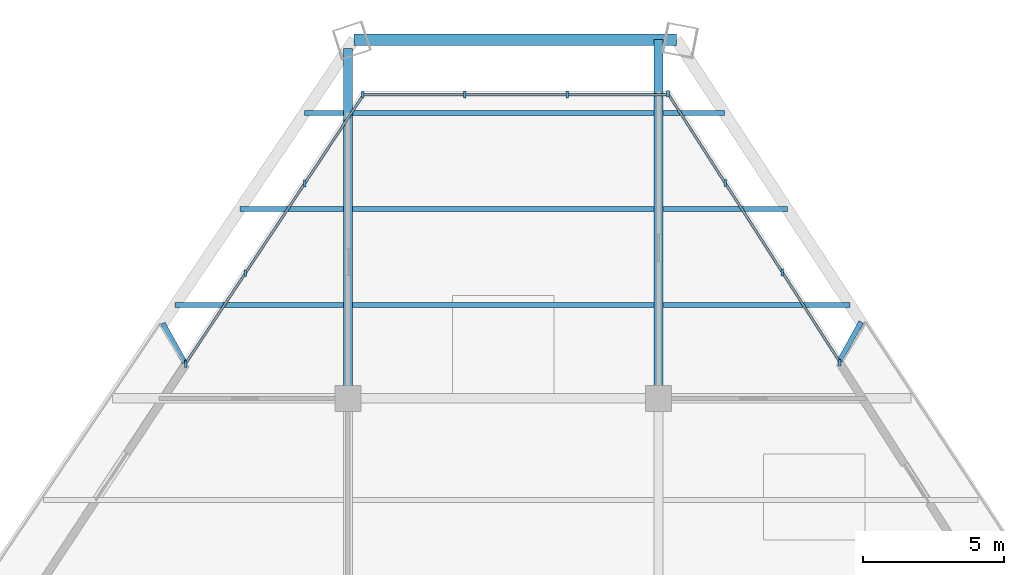
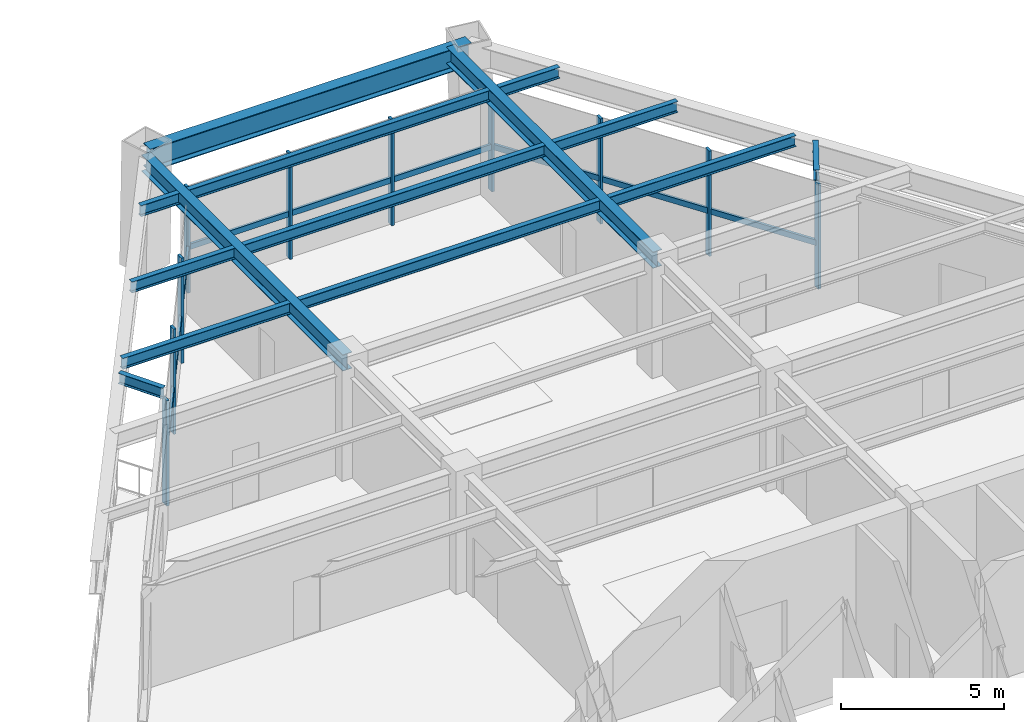
# One storey, part 6 of 12: 20 members, 14 beams, 3 elements without a shape of their own.
"""IFC4 building model written with IfcOpenShell, lengths in metres."""

from ifc_helpers import new_model, si_unit, direction, frame, origin, origin_2d, place, context, subcontext, project, spatial, rectangle, i_section, extrude, source, transform, mapped, material, material_profile, profile_set, type_object, type_shapes, element, aggregate, save


model = new_model("IFC4")

# Units and contexts
model_context = context("Model", 3, precision=1e-05, world=origin(), true_north=direction((0.0, 1.0)))
body_context = subcontext(model_context, "Body", "Model", "MODEL_VIEW")
ifc_project = project(units=[si_unit("LENGTHUNIT", "METRE"), si_unit("AREAUNIT", "SQUARE_METRE"), si_unit("VOLUMEUNIT", "CUBIC_METRE"), si_unit("PLANEANGLEUNIT", "RADIAN"), si_unit("MASSUNIT", "GRAM", prefix="KILO")], contexts=[model_context])

# Site, building, storey
site_placement = place(None, origin())
site = spatial("IfcSite", under=ifc_project, at=site_placement, CompositionType="ELEMENT")
building_placement = place(site_placement, origin())
building = spatial("IfcBuilding", under=site, at=building_placement, Name="Varnakhor Terracotta Tower", CompositionType="ELEMENT")
storey_placement = place(building_placement, frame((0.0, 0.0, 121.0)))
storey = spatial("IfcBuildingStorey", under=building, at=storey_placement, Name="L30", CompositionType="ELEMENT", Elevation=121.0)

# Beams
ifc_material_1 = material(Name="Steel S355", Category="steel")
ifc_material_profile_1 = material_profile(ifc_material_1, i_section(OverallWidth=0.39990234375, OverallDepth=0.85498046875, WebThickness=0.01806640625, FlangeThickness=0.029052734375, FilletRadius=0.01806640625, at=origin_2d()), Name="W33X201")
ifc_profile_set_1 = profile_set([ifc_material_profile_1], Name="Steel S355")
beam_type_1 = type_object("IfcBeamType", Name="BM-W33X201", PredefinedType="BEAM", material=ifc_profile_set_1)
shared_shape_1 = source(origin(), body_context, "Body", "SweptSolid", [
    extrude(i_section(OverallWidth=0.39990234375, OverallDepth=0.85498046875, WebThickness=0.01806640625, FlangeThickness=0.029052734375, FilletRadius=0.01806640625, at=origin_2d()), origin(), (0.0, 0.0, 1.0), 11.407958984375),
])
beam_1_placement = place(storey_placement, frame((6.125, 44.197509765625, 3.9423828125), z_axis=(-1.0, 0.0, 0.0), x_axis=(0.0, -1.0, 0.0)))
element("IfcBeam", 1, at=beam_1_placement, inside=storey, type_object=beam_type_1, Name="L30 Perimeter Spandrel 5", PredefinedType="BEAM", context=body_context, shape_type="MappedRepresentation", body=[
    mapped(shared_shape_1, transform((0.0, 0.0, 0.0), scale=1.0)),
])
ifc_material_profile_2 = material_profile(ifc_material_1, i_section(OverallWidth=0.324951171875, OverallDepth=0.615966796875, WebThickness=0.013916015625, FlangeThickness=0.02197265625, FilletRadius=0.01806640625, at=origin_2d()), Name="W24X117")
ifc_profile_set_2 = profile_set([ifc_material_profile_2], Name="Steel S355")
beam_type_2 = type_object("IfcBeamType", Name="BM-W24X117", PredefinedType="BEAM", material=ifc_profile_set_2)
shared_shape_2 = source(origin(), body_context, "Body", "SweptSolid", [
    extrude(i_section(OverallWidth=0.324951171875, OverallDepth=0.615966796875, WebThickness=0.013916015625, FlangeThickness=0.02197265625, FilletRadius=0.01806640625, at=origin_2d()), origin(), (0.0, 0.0, 1.0), 12.37548828125),
])
beam_2_placement = place(storey_placement, frame((-5.5, 31.5, 4.06201171875), z_axis=(0.0, 1.0, 0.0), x_axis=(-1.0, 0.0, 0.0)))
element("IfcBeam", 2, at=beam_2_placement, inside=storey, type_object=beam_type_2, Name="L30 Primary Girder NS3-W", PredefinedType="BEAM", context=body_context, shape_type="MappedRepresentation", body=[
    mapped(shared_shape_2, transform((0.0, 0.0, 0.0), scale=1.0)),
])
shared_shape_3 = source(origin(), body_context, "Body", "SweptSolid", [
    extrude(i_section(OverallWidth=0.324951171875, OverallDepth=0.615966796875, WebThickness=0.013916015625, FlangeThickness=0.02197265625, FilletRadius=0.01806640625, at=origin_2d()), origin(), (0.0, 0.0, 1.0), 12.697509765625),
])
beam_3_placement = place(storey_placement, frame((5.5, 31.5, 4.06201171875), z_axis=(0.0, 1.0, 0.0), x_axis=(-1.0, 0.0, 0.0)))
element("IfcBeam", 3, at=beam_3_placement, inside=storey, type_object=beam_type_2, Name="L30 Primary Girder NS3-E", PredefinedType="BEAM", context=body_context, shape_type="MappedRepresentation", body=[
    mapped(shared_shape_3, transform((0.0, 0.0, 0.0), scale=1.0)),
])
ifc_material_profile_3 = material_profile(ifc_material_1, i_section(OverallWidth=0.179931640625, OverallDepth=0.4130859375, WebThickness=0.009765625, FlangeThickness=0.01611328125, FilletRadius=0.01806640625, at=origin_2d()), Name="W16X50")
ifc_profile_set_3 = profile_set([ifc_material_profile_3], Name="Steel S355")
beam_type_3 = type_object("IfcBeamType", Name="JST-W16X50", PredefinedType="JOIST", material=ifc_profile_set_3)
shared_shape_4 = source(origin(), body_context, "Body", "SweptSolid", [
    extrude(i_section(OverallWidth=0.179931640625, OverallDepth=0.4130859375, WebThickness=0.009765625, FlangeThickness=0.01611328125, FilletRadius=0.01806640625, at=origin_2d()), origin(), (0.0, 0.0, 1.0), 10.68310546875),
])
for number, where, z_axis, x_axis, name in (
    (4, (-5.341552734375, 34.800048828125, 4.16357421875), (1.0, 0.0, 0.0), (0.0, 1.0, 0.0), "L30 Composite Floor Joist 7-2"),
    (5, (-5.341552734375, 38.199951171875, 4.16357421875), (1.0, 0.0, 0.0), (0.0, 1.0, 0.0), "L30 Composite Floor Joist 8-2"),
    (6, (-5.341552734375, 41.60009765625, 4.16357421875), (1.0, 0.0, 0.0), (0.0, 1.0, 0.0), "L30 Composite Floor Joist 9-2"),
):
    element("IfcBeam", number, at=place(storey_placement, frame(where, z_axis=z_axis, x_axis=x_axis)), inside=storey, type_object=beam_type_3, Name=name, PredefinedType="JOIST", context=body_context, shape_type="MappedRepresentation", body=[
        mapped(shared_shape_4, transform((0.0, 0.0, 0.0), scale=1.0)),
    ])
shared_shape_5 = source(origin(), body_context, "Body", "SweptSolid", [
    extrude(i_section(OverallWidth=0.179931640625, OverallDepth=0.4130859375, WebThickness=0.009765625, FlangeThickness=0.01611328125, FilletRadius=0.01806640625, at=origin_2d()), origin(), (0.0, 0.0, 1.0), 5.95849609375),
])
beam_4_placement = place(storey_placement, frame((-11.616943359375, 34.800048828125, 4.16357421875), z_axis=(1.0, 0.0, 0.0), x_axis=(0.0, 1.0, 0.0)))
element("IfcBeam", 7, at=beam_4_placement, inside=storey, type_object=beam_type_3, Name="L30 Composite Floor Joist 7-1", PredefinedType="JOIST", context=body_context, shape_type="MappedRepresentation", body=[
    mapped(shared_shape_5, transform((0.0, 0.0, 0.0), scale=1.0)),
])
shared_shape_6 = source(origin(), body_context, "Body", "SweptSolid", [
    extrude(i_section(OverallWidth=0.179931640625, OverallDepth=0.4130859375, WebThickness=0.009765625, FlangeThickness=0.01611328125, FilletRadius=0.01806640625, at=origin_2d()), origin(), (0.0, 0.0, 1.0), 6.62158203125),
])
beam_5_placement = place(storey_placement, frame((5.658447265625, 34.800048828125, 4.16357421875), z_axis=(1.0, 0.0, 0.0), x_axis=(0.0, 1.0, 0.0)))
element("IfcBeam", 8, at=beam_5_placement, inside=storey, type_object=beam_type_3, Name="L30 Composite Floor Joist 7-3", PredefinedType="JOIST", context=body_context, shape_type="MappedRepresentation", body=[
    mapped(shared_shape_6, transform((0.0, 0.0, 0.0), scale=1.0)),
])
shared_shape_7 = source(origin(), body_context, "Body", "SweptSolid", [
    extrude(i_section(OverallWidth=0.179931640625, OverallDepth=0.4130859375, WebThickness=0.009765625, FlangeThickness=0.01611328125, FilletRadius=0.01806640625, at=origin_2d()), origin(), (0.0, 0.0, 1.0), 3.666748046875),
])
beam_6_placement = place(storey_placement, frame((-9.3251953125, 38.199951171875, 4.16357421875), z_axis=(1.0, 0.0, 0.0), x_axis=(0.0, 1.0, 0.0)))
element("IfcBeam", 9, at=beam_6_placement, inside=storey, type_object=beam_type_3, Name="L30 Composite Floor Joist 8-1", PredefinedType="JOIST", context=body_context, shape_type="MappedRepresentation", body=[
    mapped(shared_shape_7, transform((0.0, 0.0, 0.0), scale=1.0)),
])
shared_shape_8 = source(origin(), body_context, "Body", "SweptSolid", [
    extrude(i_section(OverallWidth=0.179931640625, OverallDepth=0.4130859375, WebThickness=0.009765625, FlangeThickness=0.01611328125, FilletRadius=0.01806640625, at=origin_2d()), origin(), (0.0, 0.0, 1.0), 4.394775390625),
])
beam_7_placement = place(storey_placement, frame((5.658447265625, 38.199951171875, 4.16357421875), z_axis=(1.0, 0.0, 0.0), x_axis=(0.0, 1.0, 0.0)))
element("IfcBeam", 10, at=beam_7_placement, inside=storey, type_object=beam_type_3, Name="L30 Composite Floor Joist 8-3", PredefinedType="JOIST", context=body_context, shape_type="MappedRepresentation", body=[
    mapped(shared_shape_8, transform((0.0, 0.0, 0.0), scale=1.0)),
])
shared_shape_9 = source(origin(), body_context, "Body", "SweptSolid", [
    extrude(i_section(OverallWidth=0.179931640625, OverallDepth=0.4130859375, WebThickness=0.009765625, FlangeThickness=0.01611328125, FilletRadius=0.01806640625, at=origin_2d()), origin(), (0.0, 0.0, 1.0), 1.375244140625),
])
beam_8_placement = place(storey_placement, frame((-7.03369140625, 41.60009765625, 4.16357421875), z_axis=(1.0, 0.0, 0.0), x_axis=(0.0, 1.0, 0.0)))
element("IfcBeam", 11, at=beam_8_placement, inside=storey, type_object=beam_type_3, Name="L30 Composite Floor Joist 9-1", PredefinedType="JOIST", context=body_context, shape_type="MappedRepresentation", body=[
    mapped(shared_shape_9, transform((0.0, 0.0, 0.0), scale=1.0)),
])
shared_shape_10 = source(origin(), body_context, "Body", "SweptSolid", [
    extrude(i_section(OverallWidth=0.179931640625, OverallDepth=0.4130859375, WebThickness=0.009765625, FlangeThickness=0.01611328125, FilletRadius=0.01806640625, at=origin_2d()), origin(), (0.0, 0.0, 1.0), 2.16796875),
])
beam_9_placement = place(storey_placement, frame((5.658447265625, 41.60009765625, 4.16357421875), z_axis=(1.0, 0.0, 0.0), x_axis=(0.0, 1.0, 0.0)))
element("IfcBeam", 12, at=beam_9_placement, inside=storey, type_object=beam_type_3, Name="L30 Composite Floor Joist 9-3", PredefinedType="JOIST", context=body_context, shape_type="MappedRepresentation", body=[
    mapped(shared_shape_10, transform((0.0, 0.0, 0.0), scale=1.0)),
])

# Curtain wall, members
ifc_material_2 = material(Name="Anodised Aluminium Curtain Wall System", Category="aluminium")
curtain_wall_type = type_object("IfcCurtainWallType", Name="CW-SYS-SKYLOBBY", PredefinedType="NOTDEFINED", material=ifc_material_2)
curtain_wall_1_placement = place(storey_placement, origin())
curtain_wall_1 = element("IfcCurtainWall", 13, at=curtain_wall_1_placement, inside=storey, type_object=curtain_wall_type, Name="L30 W Facet Curtain Wall 2", PredefinedType="NOTDEFINED")
ifc_material_3 = material(Name="Anodised Aluminium 6063-T6", Category="aluminium")
ifc_material_profile_4 = material_profile(ifc_material_3, rectangle(XDim=0.090087890625, YDim=0.239990234375, at=origin_2d()), Name="ALU MULLION 90x240")
ifc_profile_set_4 = profile_set([ifc_material_profile_4], Name="Anodised Aluminium 6063-T6")
member_type_1 = type_object("IfcMemberType", Name="CWM-05", PredefinedType="MULLION", material=ifc_profile_set_4)
shared_shape_11 = source(origin(), body_context, "Body", "SweptSolid", [
    extrude(rectangle(XDim=0.090087890625, YDim=0.239990234375, at=origin_2d()), origin(), (0.0, 0.0, 1.0), 3.949951171875),
])
type_shapes(member_type_1, [shared_shape_11])
member_1_placement = place(storey_placement, frame((-11.23583984375, 32.743896484375, 0.0), z_axis=(0.0, 0.0, 1.0), x_axis=(1.0, 0.0, 0.0)))
member_1 = element("IfcMember", 14, at=member_1_placement, type_object=member_type_1, Name="L30 W Facet Curtain Wall 2 Mullion 1", PredefinedType="MULLION", context=body_context, shape_type="MappedRepresentation", body=[
    mapped(shared_shape_11, transform((0.0, 0.0, 0.0), scale=1.0)),
])
member_2_placement = place(storey_placement, frame((-9.13232421875, 35.92333984375, 0.0), z_axis=(0.0, 0.0, 1.0), x_axis=(1.0, 0.0, 0.0)))
member_2 = element("IfcMember", 15, at=member_2_placement, type_object=member_type_1, Name="L30 W Facet Curtain Wall 2 Mullion 2", PredefinedType="MULLION", context=body_context, shape_type="MappedRepresentation", body=[
    mapped(shared_shape_11, transform((0.0, 0.0, 0.0), scale=1.0)),
])
member_3_placement = place(storey_placement, frame((-7.029052734375, 39.102783203125, 0.0), z_axis=(0.0, 0.0, 1.0), x_axis=(1.0, 0.0, 0.0)))
member_3 = element("IfcMember", 16, at=member_3_placement, type_object=member_type_1, Name="L30 W Facet Curtain Wall 2 Mullion 3", PredefinedType="MULLION", context=body_context, shape_type="MappedRepresentation", body=[
    mapped(shared_shape_11, transform((0.0, 0.0, 0.0), scale=1.0)),
])
member_4_placement = place(storey_placement, frame((-11.235595703125, 32.7080078125, 0.0), z_axis=(0.0, 0.0, 1.0), x_axis=(1.0, 0.0, 0.0)))
member_4 = element("IfcMember", 17, at=member_4_placement, type_object=member_type_1, Name="L30 W Loggia Jamb Closure Mullion 2", PredefinedType="MULLION", context=body_context, shape_type="MappedRepresentation", body=[
    mapped(shared_shape_11, transform((0.0, 0.0, 0.0), scale=1.0)),
])

curtain_wall_2_placement = place(storey_placement, origin())
curtain_wall_2 = element("IfcCurtainWall", 18, at=curtain_wall_2_placement, inside=storey, type_object=curtain_wall_type, Name="L30 Facet Curtain Wall 2", PredefinedType="NOTDEFINED")
member_5_placement = place(storey_placement, frame((-4.97900390625, 42.25341796875, 0.0), z_axis=(0.0, 0.0, 1.0), x_axis=(1.0, 0.0, 0.0)))
member_5 = element("IfcMember", 19, at=member_5_placement, type_object=member_type_1, Name="L30 Facet Curtain Wall 2 Mullion 1", PredefinedType="MULLION", context=body_context, shape_type="MappedRepresentation", body=[
    mapped(shared_shape_11, transform((0.0, 0.0, 0.0), scale=1.0)),
])
member_6_placement = place(storey_placement, frame((-1.357177734375, 42.25341796875, 0.0), z_axis=(0.0, 0.0, 1.0), x_axis=(1.0, 0.0, 0.0)))
member_6 = element("IfcMember", 20, at=member_6_placement, type_object=member_type_1, Name="L30 Facet Curtain Wall 2 Mullion 2", PredefinedType="MULLION", context=body_context, shape_type="MappedRepresentation", body=[
    mapped(shared_shape_11, transform((0.0, 0.0, 0.0), scale=1.0)),
])
member_7_placement = place(storey_placement, frame((2.2646484375, 42.25341796875, 0.0), z_axis=(0.0, 0.0, 1.0), x_axis=(1.0, 0.0, 0.0)))
member_7 = element("IfcMember", 21, at=member_7_placement, type_object=member_type_1, Name="L30 Facet Curtain Wall 2 Mullion 3", PredefinedType="MULLION", context=body_context, shape_type="MappedRepresentation", body=[
    mapped(shared_shape_11, transform((0.0, 0.0, 0.0), scale=1.0)),
])

curtain_wall_3_placement = place(storey_placement, origin())
curtain_wall_3 = element("IfcCurtainWall", 22, at=curtain_wall_3_placement, inside=storey, type_object=curtain_wall_type, Name="L30 E Facet Curtain Wall 1", PredefinedType="NOTDEFINED")
member_8_placement = place(storey_placement, frame((5.83154296875, 42.283203125, 0.0), z_axis=(0.0, 0.0, 1.0), x_axis=(1.0, 0.0, 0.0)))
member_8 = element("IfcMember", 23, at=member_8_placement, type_object=member_type_1, Name="L30 E Facet Curtain Wall 1 Mullion 1", PredefinedType="MULLION", context=body_context, shape_type="MappedRepresentation", body=[
    mapped(shared_shape_11, transform((0.0, 0.0, 0.0), scale=1.0)),
])
member_9_placement = place(storey_placement, frame((7.857177734375, 39.119384765625, 0.0), z_axis=(0.0, 0.0, 1.0), x_axis=(1.0, 0.0, 0.0)))
member_9 = element("IfcMember", 24, at=member_9_placement, type_object=member_type_1, Name="L30 E Facet Curtain Wall 1 Mullion 2", PredefinedType="MULLION", context=body_context, shape_type="MappedRepresentation", body=[
    mapped(shared_shape_11, transform((0.0, 0.0, 0.0), scale=1.0)),
])
member_10_placement = place(storey_placement, frame((9.882568359375, 35.95556640625, 0.0), z_axis=(0.0, 0.0, 1.0), x_axis=(1.0, 0.0, 0.0)))
member_10 = element("IfcMember", 25, at=member_10_placement, type_object=member_type_1, Name="L30 E Facet Curtain Wall 1 Mullion 3", PredefinedType="MULLION", context=body_context, shape_type="MappedRepresentation", body=[
    mapped(shared_shape_11, transform((0.0, 0.0, 0.0), scale=1.0)),
])
member_11_placement = place(storey_placement, frame((11.9072265625, 32.755615234375, 0.0), z_axis=(0.0, 0.0, 1.0), x_axis=(1.0, 0.0, 0.0)))
member_11 = element("IfcMember", 26, at=member_11_placement, type_object=member_type_1, Name="L30 E Loggia Jamb Closure Mullion 1", PredefinedType="MULLION", context=body_context, shape_type="MappedRepresentation", body=[
    mapped(shared_shape_11, transform((0.0, 0.0, 0.0), scale=1.0)),
])

# Member
ifc_material_profile_5 = material_profile(ifc_material_3, rectangle(XDim=0.090087890625, YDim=0.2099609375, at=origin_2d()), Name="ALU TRANSOM 90x210")
ifc_profile_set_5 = profile_set([ifc_material_profile_5], Name="Anodised Aluminium 6063-T6")
member_type_2 = type_object("IfcMemberType", Name="CWT-05", PredefinedType="USERDEFINED", material=ifc_profile_set_5)
shared_shape_12 = source(origin(), body_context, "Body", "SweptSolid", [
    extrude(rectangle(XDim=0.090087890625, YDim=0.2099609375, at=origin_2d()), origin(), (0.0, 0.0, 1.0), 3.81201171875),
])
type_shapes(member_type_2, [shared_shape_12])
member_12_placement = place(storey_placement, frame((-7.029052734375, 39.102783203125, 1.658935546875), z_axis=(0.551800091022, 0.833976414263, 0.0), x_axis=(-0.833976414263, 0.551800091022, 0.0)))
member_12 = element("IfcMember", 27, at=member_12_placement, type_object=member_type_2, Name="L30 W Facet Curtain Wall 2 Transom 3", ObjectType="TRANSOM", PredefinedType="USERDEFINED", context=body_context, shape_type="MappedRepresentation", body=[
    mapped(shared_shape_12, transform((0.0, 0.0, 0.0), scale=1.0)),
])

shared_shape_13 = source(origin(), body_context, "Body", "SweptSolid", [
    extrude(rectangle(XDim=0.090087890625, YDim=0.2099609375, at=origin_2d()), origin(), (0.0, 0.0, 1.0), 3.812255859375),
])
member_13_placement = place(storey_placement, frame((-11.23583984375, 32.743896484375, 1.658935546875), z_axis=(0.551770620116, 0.833995912926, 0.0), x_axis=(-0.833995912926, 0.551770620116, 0.0)))
member_13 = element("IfcMember", 28, at=member_13_placement, type_object=member_type_2, Name="L30 W Facet Curtain Wall 2 Transom 1", ObjectType="TRANSOM", PredefinedType="USERDEFINED", context=body_context, shape_type="MappedRepresentation", body=[
    mapped(shared_shape_13, transform((0.0, 0.0, 0.0), scale=1.0)),
])

member_14_placement = place(storey_placement, frame((-9.13232421875, 35.92333984375, 1.658935546875), z_axis=(0.551726074625, 0.834025382455, 0.0), x_axis=(-0.834025382455, 0.551726074625, 0.0)))
member_14 = element("IfcMember", 29, at=member_14_placement, type_object=member_type_2, Name="L30 W Facet Curtain Wall 2 Transom 2", ObjectType="TRANSOM", PredefinedType="USERDEFINED", context=body_context, shape_type="MappedRepresentation", body=[
    mapped(shared_shape_13, transform((0.0, 0.0, 0.0), scale=1.0)),
])

aggregate(curtain_wall_1, [member_1, member_13, member_2, member_14, member_3, member_12, member_4])

shared_shape_14 = source(origin(), body_context, "Body", "SweptSolid", [
    extrude(rectangle(XDim=0.090087890625, YDim=0.2099609375, at=origin_2d()), origin(), (0.0, 0.0, 1.0), 3.621826171875),
])
member_15_placement = place(storey_placement, frame((-4.97900390625, 42.25341796875, 1.658935546875), z_axis=(1.0, 0.0, 0.0), x_axis=(0.0, 1.0, 0.0)))
member_15 = element("IfcMember", 30, at=member_15_placement, type_object=member_type_2, Name="L30 Facet Curtain Wall 2 Transom 1", ObjectType="TRANSOM", PredefinedType="USERDEFINED", context=body_context, shape_type="MappedRepresentation", body=[
    mapped(shared_shape_14, transform((0.0, 0.0, 0.0), scale=1.0)),
])

member_16_placement = place(storey_placement, frame((-1.357177734375, 42.25341796875, 1.658935546875), z_axis=(1.0, 0.0, 0.0), x_axis=(0.0, 1.0, 0.0)))
member_16 = element("IfcMember", 31, at=member_16_placement, type_object=member_type_2, Name="L30 Facet Curtain Wall 2 Transom 2", ObjectType="TRANSOM", PredefinedType="USERDEFINED", context=body_context, shape_type="MappedRepresentation", body=[
    mapped(shared_shape_14, transform((0.0, 0.0, 0.0), scale=1.0)),
])

member_17_placement = place(storey_placement, frame((2.2646484375, 42.25341796875, 1.658935546875), z_axis=(1.0, 0.0, 0.0), x_axis=(0.0, 1.0, 0.0)))
member_17 = element("IfcMember", 32, at=member_17_placement, type_object=member_type_2, Name="L30 Facet Curtain Wall 2 Transom 3", ObjectType="TRANSOM", PredefinedType="USERDEFINED", context=body_context, shape_type="MappedRepresentation", body=[
    mapped(shared_shape_14, transform((0.0, 0.0, 0.0), scale=1.0)),
])

aggregate(curtain_wall_2, [member_5, member_15, member_6, member_16, member_7, member_17])

shared_shape_15 = source(origin(), body_context, "Body", "SweptSolid", [
    extrude(rectangle(XDim=0.090087890625, YDim=0.2099609375, at=origin_2d()), origin(), (0.0, 0.0, 1.0), 3.7568359375),
])
member_18_placement = place(storey_placement, frame((5.83154296875, 42.283203125, 1.658935546875), z_axis=(0.539203063793, -0.842175786874, 0.0), x_axis=(0.842175786874, 0.539203063793, 0.0)))
member_18 = element("IfcMember", 33, at=member_18_placement, type_object=member_type_2, Name="L30 E Facet Curtain Wall 1 Transom 1", ObjectType="TRANSOM", PredefinedType="USERDEFINED", context=body_context, shape_type="MappedRepresentation", body=[
    mapped(shared_shape_15, transform((0.0, 0.0, 0.0), scale=1.0)),
])

member_19_placement = place(storey_placement, frame((9.882568359375, 35.95556640625, 1.658935546875), z_axis=(0.539127458754, -0.842224188217, 0.0), x_axis=(0.842224188217, 0.539127458754, 0.0)))
member_19 = element("IfcMember", 34, at=member_19_placement, type_object=member_type_2, Name="L30 E Facet Curtain Wall 1 Transom 3", ObjectType="TRANSOM", PredefinedType="USERDEFINED", context=body_context, shape_type="MappedRepresentation", body=[
    mapped(shared_shape_15, transform((0.0, 0.0, 0.0), scale=1.0)),
])

shared_shape_16 = source(origin(), body_context, "Body", "SweptSolid", [
    extrude(rectangle(XDim=0.090087890625, YDim=0.2099609375, at=origin_2d()), origin(), (0.0, 0.0, 1.0), 3.756591796875),
])
member_20_placement = place(storey_placement, frame((7.857177734375, 39.119384765625, 1.658935546875), z_axis=(0.53915696818, -0.842205297812, 0.0), x_axis=(0.842205297812, 0.53915696818, 0.0)))
member_20 = element("IfcMember", 35, at=member_20_placement, type_object=member_type_2, Name="L30 E Facet Curtain Wall 1 Transom 2", ObjectType="TRANSOM", PredefinedType="USERDEFINED", context=body_context, shape_type="MappedRepresentation", body=[
    mapped(shared_shape_16, transform((0.0, 0.0, 0.0), scale=1.0)),
])

aggregate(curtain_wall_3, [member_8, member_18, member_9, member_20, member_10, member_19, member_11])

# Beams
ifc_material_profile_6 = material_profile(ifc_material_1, i_section(OverallWidth=0.179931640625, OverallDepth=0.39990234375, WebThickness=0.008544921875, FlangeThickness=0.013427734375, FilletRadius=0.01806640625, at=origin_2d()), Name="IPE400")
ifc_profile_set_6 = profile_set([ifc_material_profile_6], Name="Steel S355")
beam_type_4 = type_object("IfcBeamType", Name="JST-IPE400", PredefinedType="JOIST", material=ifc_profile_set_6)
shared_shape_17 = source(origin(), body_context, "Body", "SweptSolid", [
    extrude(i_section(OverallWidth=0.179931640625, OverallDepth=0.39990234375, WebThickness=0.008544921875, FlangeThickness=0.013427734375, FilletRadius=0.01806640625, at=origin_2d()), origin(), (0.0, 0.0, 1.0), 1.59375),
])
beam_10_placement = place(storey_placement, frame((11.89697265625, 32.8095703125, 4.169921875), z_axis=(0.485877014255, 0.874027188947, 0.0), x_axis=(-0.874027188947, 0.485877014255, 0.0)))
element("IfcBeam", 36, at=beam_10_placement, inside=storey, type_object=beam_type_4, Name="L31 E Loggia Tie Beam 1", PredefinedType="JOIST", context=body_context, shape_type="MappedRepresentation", body=[
    mapped(shared_shape_17, transform((0.0, 0.0, 0.0), scale=1.0)),
])
shared_shape_18 = source(origin(), body_context, "Body", "SweptSolid", [
    extrude(i_section(OverallWidth=0.179931640625, OverallDepth=0.39990234375, WebThickness=0.008544921875, FlangeThickness=0.013427734375, FilletRadius=0.01806640625, at=origin_2d()), origin(), (0.0, 0.0, 1.0), 1.59326171875),
])
beam_11_placement = place(storey_placement, frame((-11.276611328125, 32.76171875, 4.169921875), z_axis=(-0.487450390557, 0.873150683872, 0.0), x_axis=(-0.873150683872, -0.487450390557, 0.0)))
element("IfcBeam", 37, at=beam_11_placement, inside=storey, type_object=beam_type_4, Name="L31 W Loggia Tie Beam 2", PredefinedType="JOIST", context=body_context, shape_type="MappedRepresentation", body=[
    mapped(shared_shape_18, transform((0.0, 0.0, 0.0), scale=1.0)),
])

save(model, "model.ifc")
